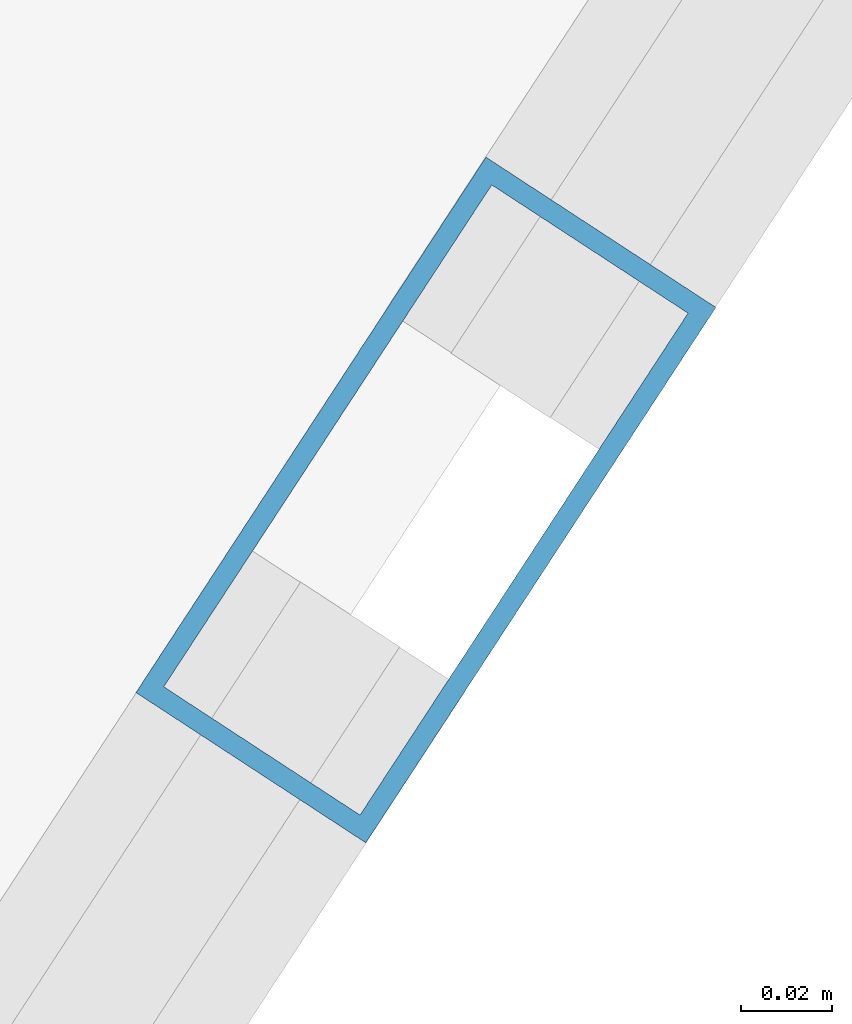
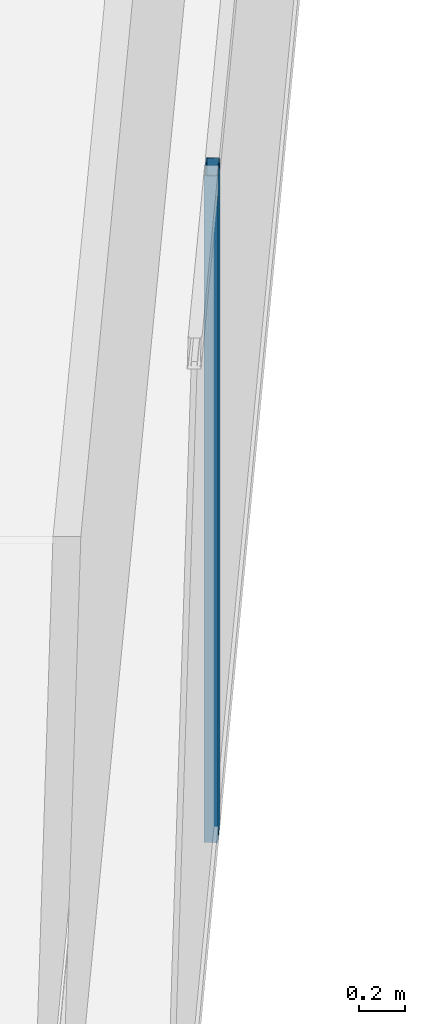
# One storey, part 14 of 25: 1 member, 1 element without a shape of its own.
"""IFC4 building model written with IfcOpenShell, lengths in metres."""

from ifc_helpers import new_model, si_unit, direction, frame, origin, origin_2d, place, context, subcontext, project, spatial, hollow_rectangle, extrude, material, layer, layer_set, material_profile, profile_set, type_object, element, aggregate, save


model = new_model("IFC4")

# Units and contexts
model_context = context("Model", 3, precision=1e-05, world=origin(), true_north=direction((0.0, 1.0)))
body_context = subcontext(model_context, "Body", "Model", "MODEL_VIEW")
ifc_project = project(units=[si_unit("LENGTHUNIT", "METRE"), si_unit("AREAUNIT", "SQUARE_METRE"), si_unit("VOLUMEUNIT", "CUBIC_METRE"), si_unit("PLANEANGLEUNIT", "RADIAN"), si_unit("MASSUNIT", "GRAM", prefix="KILO")], contexts=[model_context])

# Site, building, storey
site_placement = place(None, origin())
site = spatial("IfcSite", under=ifc_project, at=site_placement, CompositionType="ELEMENT")
building_placement = place(site_placement, origin())
building = spatial("IfcBuilding", under=site, at=building_placement, Name="Qianvela Tower", CompositionType="ELEMENT")
storey_placement = place(building_placement, frame((0.0, 0.0, 288.0)))
storey = spatial("IfcBuildingStorey", under=building, at=storey_placement, Name="L74", CompositionType="ELEMENT", Elevation=288.0)

# Curtain wall, member
ifc_material_1 = material(Name="Anodised Architectural Aluminium and Low-E Glass", Category="aluminium")
ifc_layer = layer(ifc_material_1, 0.14990234375)
ifc_layer_set = layer_set([ifc_layer], Name="Anodised Architectural Aluminium and Low-E Glass")
curtain_wall_type = type_object("IfcCurtainWallType", Name="CW-COLIV-Z78", PredefinedType="USERDEFINED", material=ifc_layer_set)
curtain_wall_placement = place(storey_placement, origin())
curtain_wall = element("IfcCurtainWall", 1, at=curtain_wall_placement, inside=storey, type_object=curtain_wall_type, Name="L74 CW-COLIV-Z78 Curtain Wall 06C", ObjectType="CURTAIN_WALL_SYSTEM", PredefinedType="USERDEFINED")
ifc_material_2 = material(Name="Anodised Architectural Aluminium 6063-T6", Category="aluminium")
ifc_material_profile = material_profile(ifc_material_2, hollow_rectangle(XDim=0.06005859375, YDim=0.139892578125, WallThickness=0.00439453125, at=origin_2d()), Name="ALU-MULL-60x140")
ifc_profile_set = profile_set([ifc_material_profile], Name="Anodised Architectural Aluminium 6063-T6")
member_type = type_object("IfcMemberType", Name="CW-COLIV-Z78-MULL", PredefinedType="MULLION", material=ifc_profile_set)
member_placement = place(storey_placement, frame((49.15869140625, 23.933837890625, 0.0), z_axis=(0.0, 0.0, 1.0), x_axis=(-0.837079522696, 0.547081230424, 0.0)))
member = element("IfcMember", 2, at=member_placement, type_object=member_type, Name="CW-6 mullion 3", PredefinedType="MULLION", context=body_context, shape_type="SweptSolid", body=[
    extrude(hollow_rectangle(XDim=0.06005859375, YDim=0.139892578125, WallThickness=0.00439453125, at=origin_2d()), origin(), (0.0, 0.0, 1.0), 3.52001953125),
])
aggregate(curtain_wall, [member])

save(model, "model.ifc")
